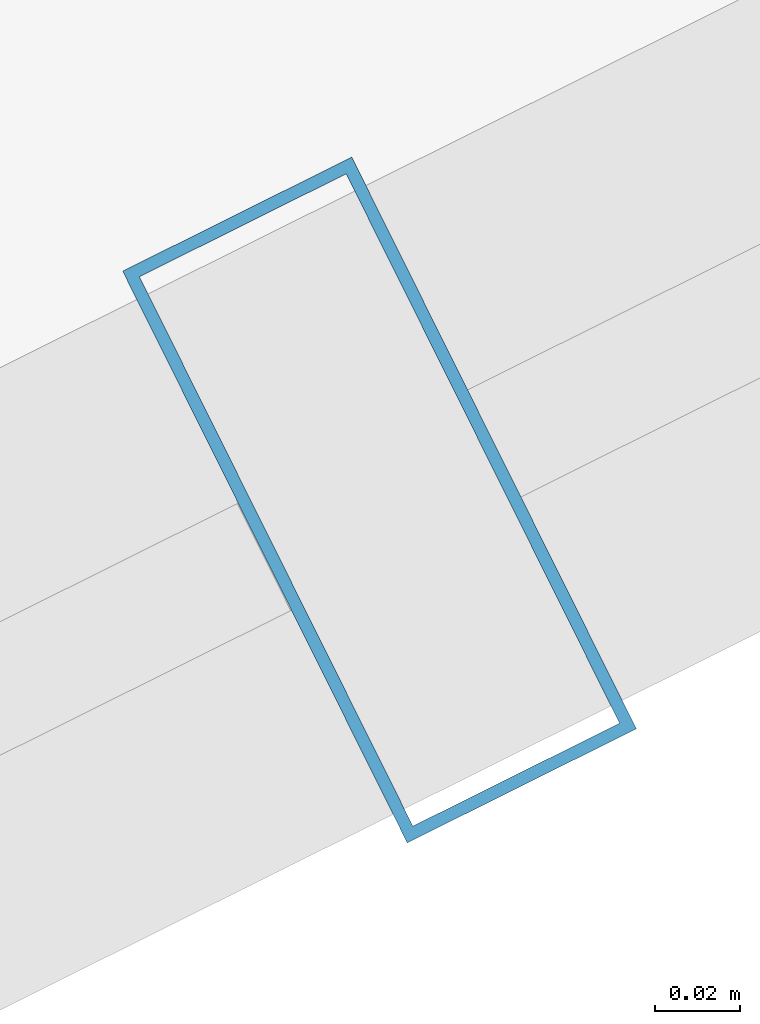
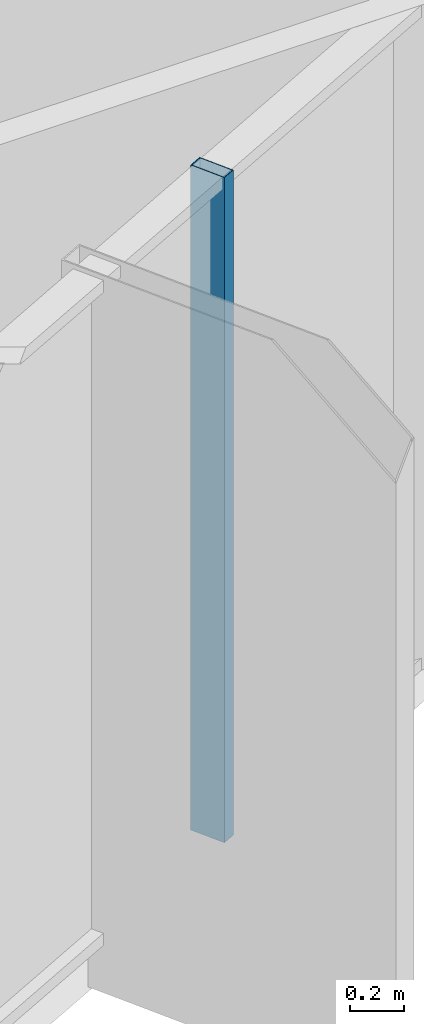
# One storey, part 8 of 29: 1 member, 1 element without a shape of its own.
"""IFC4 building model written with IfcOpenShell, lengths in metres."""

from ifc_helpers import new_model, si_unit, direction, frame, origin, origin_2d, place, context, subcontext, project, spatial, hollow_rectangle, extrude, source, transform, mapped, material, layer, layer_set, material_profile, profile_set, type_object, element, aggregate, save


model = new_model("IFC4")

# Units and contexts
model_context = context("Model", 3, precision=1e-05, world=origin(), true_north=direction((0.0, 1.0)))
body_context = subcontext(model_context, "Body", "Model", "MODEL_VIEW")
ifc_project = project(units=[si_unit("LENGTHUNIT", "METRE"), si_unit("AREAUNIT", "SQUARE_METRE"), si_unit("VOLUMEUNIT", "CUBIC_METRE"), si_unit("PLANEANGLEUNIT", "RADIAN"), si_unit("MASSUNIT", "GRAM", prefix="KILO")], contexts=[model_context])

# Site, building, storey
site_placement = place(None, origin())
site = spatial("IfcSite", under=ifc_project, at=site_placement, CompositionType="ELEMENT")
building_placement = place(site_placement, origin())
building = spatial("IfcBuilding", under=site, at=building_placement, Name="Veraguas Prism Commons", CompositionType="ELEMENT")
storey_placement = place(building_placement, frame((0.0, 0.0, 218.89990234375)))
storey = spatial("IfcBuildingStorey", under=building, at=storey_placement, Name="L62", CompositionType="ELEMENT", Elevation=218.89990234375)

# Curtain wall, member
ifc_material = material(Name="Anodised aluminium EN AW-6063 T6", Category="aluminium")
ifc_layer = layer(ifc_material, 0.14990234375, Name="Unitised Flush Curtain Wall Zone 3", Category="aluminium")
ifc_layer_set = layer_set([ifc_layer], Name="Anodised aluminium EN AW-6063 T6")
curtain_wall_type = type_object("IfcCurtainWallType", Name="Unitised Flush Curtain Wall Zone 3", PredefinedType="NOTDEFINED", material=ifc_layer_set)
curtain_wall_placement = place(storey_placement, origin())
curtain_wall = element("IfcCurtainWall", 1, at=curtain_wall_placement, inside=storey, type_object=curtain_wall_type, Name="Tower Facade Curtain Wall L62-F5", PredefinedType="NOTDEFINED")
ifc_material_profile = material_profile(ifc_material, hollow_rectangle(XDim=0.06005859375, YDim=0.14990234375, WallThickness=0.0029296875, at=origin_2d()), Name="AL60X150X3")
ifc_profile_set = profile_set([ifc_material_profile], Name="Anodised aluminium EN AW-6063 T6")
member_type = type_object("IfcMemberType", Name="Curtain Wall Mullion Upper AL 60x150x3", PredefinedType="MULLION", material=ifc_profile_set)
shared_shape = source(origin(), body_context, "Body", "SweptSolid", [
    extrude(hollow_rectangle(XDim=0.06005859375, YDim=0.14990234375, WallThickness=0.0029296875, at=origin_2d()), origin(), (0.0, 0.0, 1.0), 3.01513671875),
])
member_placement = place(storey_placement, frame((35.450439453125, 9.91650390625, 0.0), z_axis=(0.0, 0.0, 1.0), x_axis=(0.895243315298, 0.445577609866, 0.0)))
member = element("IfcMember", 2, at=member_placement, type_object=member_type, Name="CW-Z3 Mullion 4", PredefinedType="MULLION", context=body_context, shape_type="MappedRepresentation", body=[
    mapped(shared_shape, transform((0.0, 0.0, 0.0), scale=1.0)),
])
aggregate(curtain_wall, [member])

save(model, "model.ifc")
